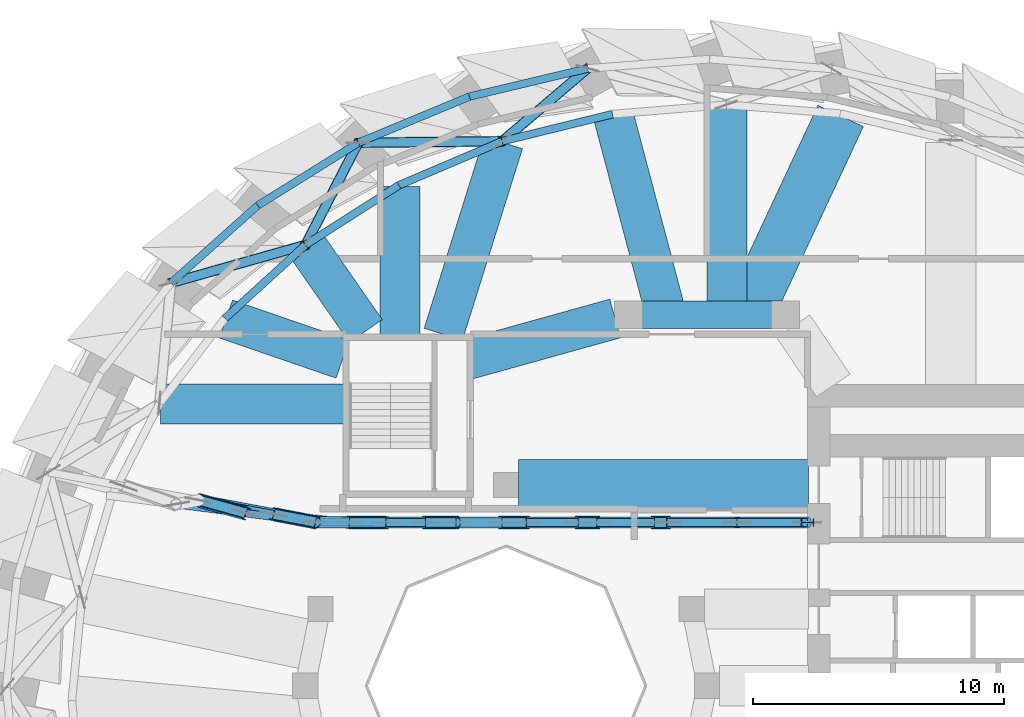
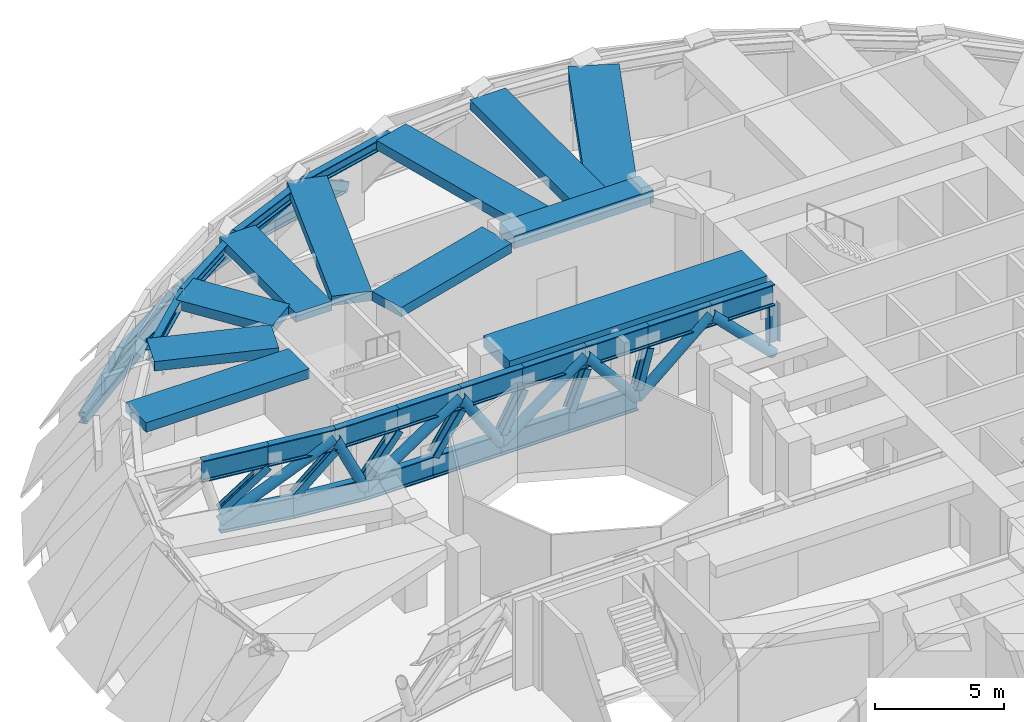
# One storey, part 5 of 15: 43 members, 11 beams.
"""IFC4 building model written with IfcOpenShell, lengths in metres."""

from ifc_helpers import new_model, si_unit, direction, frame, origin, origin_2d, place, context, subcontext, project, spatial, rectangle, hollow_rectangle, hollow_circle, i_section, extrude, material, material_profile, profile_set, type_object, element, save


model = new_model("IFC4")

# Units and contexts
model_context = context("Model", 3, precision=1e-05, world=origin(), true_north=direction((0.0, 1.0)))
body_context = subcontext(model_context, "Body", "Model", "MODEL_VIEW")
ifc_project = project(units=[si_unit("LENGTHUNIT", "METRE"), si_unit("AREAUNIT", "SQUARE_METRE"), si_unit("VOLUMEUNIT", "CUBIC_METRE"), si_unit("PLANEANGLEUNIT", "RADIAN"), si_unit("MASSUNIT", "GRAM", prefix="KILO")], contexts=[model_context])

# Site, building, storey
site_placement = place(None, origin())
site = spatial("IfcSite", under=ifc_project, at=site_placement, CompositionType="ELEMENT")
building_placement = place(site_placement, origin())
building = spatial("IfcBuilding", under=site, at=building_placement, Name="Taillehof Tower", CompositionType="ELEMENT")
storey_placement = place(building_placement, frame((0.0, 0.0, 84.39990234375)))
storey = spatial("IfcBuildingStorey", under=building, at=storey_placement, Name="L23", CompositionType="ELEMENT", Elevation=84.39990234375)

# Members
ifc_material_1 = material(Name="Steel S460M", Category="steel")
ifc_material_profile_1 = material_profile(ifc_material_1, i_section(OverallWidth=0.305908203125, OverallDepth=0.52392578125, WebThickness=0.02099609375, FlangeThickness=0.0400390625, FilletRadius=0.027099609375, at=origin_2d()), Name="HEM 500")
ifc_profile_set_1 = profile_set([ifc_material_profile_1], Name="Steel S460M")
member_type_1 = type_object("IfcMemberType", Name="Belt truss chord HEM 500", PredefinedType="CHORD", material=ifc_profile_set_1)
member_1_placement = place(storey_placement, frame((-4.75048828125, 24.581298828125, 0.900146484375), z_axis=(-0.972830536765, -0.231518350758, 0.0), x_axis=(0.231518350758, -0.972830536765, 0.0)))
element("IfcMember", 1, at=member_1_placement, inside=storey, type_object=member_type_1, Name="Belt truss bottom chord BB11", PredefinedType="CHORD", context=body_context, shape_type="SweptSolid", body=[
    extrude(i_section(OverallWidth=0.305908203125, OverallDepth=0.52392578125, WebThickness=0.02099609375, FlangeThickness=0.0400390625, FilletRadius=0.027099609375, at=origin_2d()), origin(), (0.0, 0.0, 1.0), 4.845458984375),
])
member_2_placement = place(storey_placement, frame((-3.762939453125, 22.762939453125, 3.9580078125), z_axis=(-0.971090983456, -0.238709660153, 0.0), x_axis=(0.238709660153, -0.971090983456, 0.0)))
element("IfcMember", 2, at=member_2_placement, inside=storey, type_object=member_type_1, Name="Belt truss top chord BT11", PredefinedType="CHORD", context=body_context, shape_type="SweptSolid", body=[
    extrude(i_section(OverallWidth=0.305908203125, OverallDepth=0.52392578125, WebThickness=0.02099609375, FlangeThickness=0.0400390625, FilletRadius=0.027099609375, at=origin_2d()), origin(), (0.0, 0.0, 1.0), 4.521484375),
])
member_3_placement = place(storey_placement, frame((-9.46435546875, 23.45947265625, 0.900146484375), z_axis=(-0.923508933079, -0.383576916045, 0.0), x_axis=(0.383576916045, -0.923508933079, 0.0)))
element("IfcMember", 3, at=member_3_placement, inside=storey, type_object=member_type_1, Name="Belt truss bottom chord BB12", PredefinedType="CHORD", context=body_context, shape_type="SweptSolid", body=[
    extrude(i_section(OverallWidth=0.305908203125, OverallDepth=0.52392578125, WebThickness=0.02099609375, FlangeThickness=0.0400390625, FilletRadius=0.027099609375, at=origin_2d()), origin(), (0.0, 0.0, 1.0), 4.7919921875),
])
member_4_placement = place(storey_placement, frame((-8.15380859375, 21.68359375, 3.9580078125), z_axis=(-0.919924877617, -0.392094656354, 0.0), x_axis=(0.392094656354, -0.919924877617, 0.0)))
element("IfcMember", 4, at=member_4_placement, inside=storey, type_object=member_type_1, Name="Belt truss top chord BT12", PredefinedType="CHORD", context=body_context, shape_type="SweptSolid", body=[
    extrude(i_section(OverallWidth=0.305908203125, OverallDepth=0.52392578125, WebThickness=0.02099609375, FlangeThickness=0.0400390625, FilletRadius=0.027099609375, at=origin_2d()), origin(), (0.0, 0.0, 1.0), 4.47509765625),
])
member_5_placement = place(storey_placement, frame((-13.889892578125, 21.621337890625, 0.900146484375), z_axis=(-0.848193026598, -0.529687256437, 0.0), x_axis=(0.529687256437, -0.848193026598, 0.0)))
element("IfcMember", 5, at=member_5_placement, inside=storey, type_object=member_type_1, Name="Belt truss bottom chord BB13", PredefinedType="CHORD", context=body_context, shape_type="SweptSolid", body=[
    extrude(i_section(OverallWidth=0.305908203125, OverallDepth=0.52392578125, WebThickness=0.02099609375, FlangeThickness=0.0400390625, FilletRadius=0.027099609375, at=origin_2d()), origin(), (0.0, 0.0, 1.0), 4.718017578125),
])
member_6_placement = place(storey_placement, frame((-12.2705078125, 19.928955078125, 3.9580078125), z_axis=(-0.842719269932, -0.538353259565, 0.0), x_axis=(0.538353259565, -0.842719269932, 0.0)))
element("IfcMember", 6, at=member_6_placement, inside=storey, type_object=member_type_1, Name="Belt truss top chord BT13", PredefinedType="CHORD", context=body_context, shape_type="SweptSolid", body=[
    extrude(i_section(OverallWidth=0.305908203125, OverallDepth=0.52392578125, WebThickness=0.02099609375, FlangeThickness=0.0400390625, FilletRadius=0.027099609375, at=origin_2d()), origin(), (0.0, 0.0, 1.0), 4.41259765625),
])
member_7_placement = place(storey_placement, frame((-17.8916015625, 19.122314453125, 0.900146484375), z_axis=(-0.746055489615, -0.665883778459, 0.0), x_axis=(0.665883778459, -0.746055489615, 0.0)))
element("IfcMember", 7, at=member_7_placement, inside=storey, type_object=member_type_1, Name="Belt truss bottom chord BB14", PredefinedType="CHORD", context=body_context, shape_type="SweptSolid", body=[
    extrude(i_section(OverallWidth=0.305908203125, OverallDepth=0.52392578125, WebThickness=0.02099609375, FlangeThickness=0.0400390625, FilletRadius=0.027099609375, at=origin_2d()), origin(), (0.0, 0.0, 1.0), 4.6318359375),
])
member_8_placement = place(storey_placement, frame((-15.989013671875, 17.553466796875, 3.9580078125), z_axis=(-0.739081838486, -0.673615644133, 0.0), x_axis=(0.673615644133, -0.739081838486, 0.0)))
element("IfcMember", 8, at=member_8_placement, inside=storey, type_object=member_type_1, Name="Belt truss top chord BT14", PredefinedType="CHORD", context=body_context, shape_type="SweptSolid", body=[
    extrude(i_section(OverallWidth=0.305908203125, OverallDepth=0.52392578125, WebThickness=0.02099609375, FlangeThickness=0.0400390625, FilletRadius=0.027099609375, at=origin_2d()), origin(), (0.0, 0.0, 1.0), 4.3408203125),
])
ifc_material_2 = material(Name="Steel S460M", Category="steel")
ifc_material_profile_2 = material_profile(ifc_material_2, hollow_rectangle(XDim=0.39990234375, YDim=0.39990234375, WallThickness=0.02001953125, InnerFilletRadius=0.02001953125, OuterFilletRadius=0.030029296875, at=origin_2d()), Name="RHS 400x400x20")
ifc_profile_set_2 = profile_set([ifc_material_profile_2], Name="Steel S460M")
member_type_2 = type_object("IfcMemberType", Name="Belt truss diagonal RHS 400x400x20", PredefinedType="BRACE", material=ifc_profile_set_2)
member_9_placement = place(storey_placement, frame((-4.75048828125, 24.581298828125, 0.900146484375), z_axis=(-0.628417508781, -0.535056485776, 0.564629074425), x_axis=(0.648282387898, -0.761399990505, 0.0)))
element("IfcMember", 9, at=member_9_placement, inside=storey, type_object=member_type_2, Name="Belt truss diagonal BX11", PredefinedType="BRACE", context=body_context, shape_type="SweptSolid", body=[
    extrude(hollow_rectangle(XDim=0.39990234375, YDim=0.39990234375, WallThickness=0.02001953125, InnerFilletRadius=0.02001953125, OuterFilletRadius=0.030029296875, at=origin_2d()), origin(), (0.0, 0.0, 1.0), 5.415771484375),
])
member_10_placement = place(storey_placement, frame((-8.15380859375, 21.68359375, 3.9580078125), z_axis=(-0.882400829566, -0.00957702539, -0.470400952982), x_axis=(0.010852733874, -0.99994110735, 0.0)))
element("IfcMember", 10, at=member_10_placement, inside=storey, type_object=member_type_2, Name="Belt truss diagonal BX12", PredefinedType="BRACE", context=body_context, shape_type="SweptSolid", body=[
    extrude(hollow_rectangle(XDim=0.39990234375, YDim=0.39990234375, WallThickness=0.02001953125, InnerFilletRadius=0.02001953125, OuterFilletRadius=0.030029296875, at=origin_2d()), origin(), (0.0, 0.0, 1.0), 6.50048828125),
])
member_11_placement = place(storey_placement, frame((-13.889892578125, 21.621337890625, 0.900146484375), z_axis=(-0.381315662562, -0.738948775251, 0.555475537752), x_axis=(0.888658518415, -0.458569555955, 0.0)))
element("IfcMember", 11, at=member_11_placement, inside=storey, type_object=member_type_2, Name="Belt truss diagonal BX13", PredefinedType="BRACE", context=body_context, shape_type="SweptSolid", body=[
    extrude(hollow_rectangle(XDim=0.39990234375, YDim=0.39990234375, WallThickness=0.02001953125, InnerFilletRadius=0.02001953125, OuterFilletRadius=0.030029296875, at=origin_2d()), origin(), (0.0, 0.0, 1.0), 5.5048828125),
])
member_12_placement = place(storey_placement, frame((-15.989013671875, 17.553466796875, 3.9580078125), z_axis=(-0.843446081873, -0.23854147857, -0.481348802818), x_axis=(0.272143238813, -0.962256752415, 0.0)))
element("IfcMember", 12, at=member_12_placement, inside=storey, type_object=member_type_2, Name="Belt truss diagonal BX14", PredefinedType="BRACE", context=body_context, shape_type="SweptSolid", body=[
    extrude(hollow_rectangle(XDim=0.39990234375, YDim=0.39990234375, WallThickness=0.02001953125, InnerFilletRadius=0.02001953125, OuterFilletRadius=0.030029296875, at=origin_2d()), origin(), (0.0, 0.0, 1.0), 6.352783203125),
])

# Beam
ifc_material_3 = material(Name="Concrete C50/60", Category="concrete")
ifc_material_profile_3 = material_profile(ifc_material_3, rectangle(XDim=1.10009765625, YDim=0.60009765625, at=origin_2d()), Name="RC 1100x600")
ifc_profile_set_3 = profile_set([ifc_material_profile_3], Name="Concrete C50/60")
beam_type_1 = type_object("IfcBeamType", Name="Mid-ring beam C50/60 1100x600", PredefinedType="BEAM", material=ifc_profile_set_3)
beam_1_placement = place(storey_placement, frame((3.125732421875, 14.772216796875, 3.920166015625), z_axis=(-1.0, 0.0, 0.0), x_axis=(0.0, -1.0, 0.0)))
element("IfcBeam", 13, at=beam_1_placement, inside=storey, type_object=beam_type_1, Name="Mid-ring beam MB01", PredefinedType="BEAM", context=body_context, shape_type="SweptSolid", body=[
    extrude(rectangle(XDim=1.10009765625, YDim=0.60009765625, at=origin_2d()), origin(), (0.0, 0.0, 1.0), 6.25146484375),
])

# Members
ifc_material_4 = material(Name="Steel S460M", Category="steel")
ifc_material_profile_4 = material_profile(ifc_material_4, i_section(OverallWidth=0.302001953125, OverallDepth=1.008056640625, WebThickness=0.02099609375, FlangeThickness=0.0400390625, FilletRadius=0.030029296875, at=origin_2d()), Name="HEM 1000")
ifc_profile_set_4 = profile_set([ifc_material_profile_4], Name="Steel S460M")
member_type_3 = type_object("IfcMemberType", Name="Outrigger chord HEM 1000", PredefinedType="CHORD", material=ifc_profile_set_4)
member_13_placement = place(storey_placement, frame((4.0, 6.5, 3.716064453125), z_axis=(-1.0, 0.0, 0.0), x_axis=(0.0, -1.0, 0.0)))
element("IfcMember", 14, at=member_13_placement, inside=storey, type_object=member_type_3, Name="Outrigger OT5 top chord 01", PredefinedType="CHORD", context=body_context, shape_type="SweptSolid", body=[
    extrude(i_section(OverallWidth=0.302001953125, OverallDepth=1.008056640625, WebThickness=0.02099609375, FlangeThickness=0.0400390625, FilletRadius=0.030029296875, at=origin_2d()), origin(), (0.0, 0.0, 1.0), 2.79833984375),
])
member_14_placement = place(storey_placement, frame((1.20166015625, 6.5, 3.716064453125), z_axis=(-1.0, 0.0, 0.0), x_axis=(0.0, -1.0, 0.0)))
element("IfcMember", 15, at=member_14_placement, inside=storey, type_object=member_type_3, Name="Outrigger OT5 top chord 02", PredefinedType="CHORD", context=body_context, shape_type="SweptSolid", body=[
    extrude(i_section(OverallWidth=0.302001953125, OverallDepth=1.008056640625, WebThickness=0.02099609375, FlangeThickness=0.0400390625, FilletRadius=0.030029296875, at=origin_2d()), origin(), (0.0, 0.0, 1.0), 2.798583984375),
])
member_15_placement = place(storey_placement, frame((-2.080322265625, 6.5, 0.900146484375), z_axis=(-1.0, 0.0, 0.0), x_axis=(0.0, -1.0, 0.0)))
element("IfcMember", 16, at=member_15_placement, inside=storey, type_object=member_type_3, Name="Outrigger OT5 bottom chord 03", PredefinedType="CHORD", context=body_context, shape_type="SweptSolid", body=[
    extrude(i_section(OverallWidth=0.302001953125, OverallDepth=1.008056640625, WebThickness=0.02099609375, FlangeThickness=0.0400390625, FilletRadius=0.030029296875, at=origin_2d()), origin(), (0.0, 0.0, 1.0), 3.0400390625),
])
member_16_placement = place(storey_placement, frame((-1.596923828125, 6.5, 3.716064453125), z_axis=(-1.0, 0.0, 0.0), x_axis=(0.0, -1.0, 0.0)))
element("IfcMember", 17, at=member_16_placement, inside=storey, type_object=member_type_3, Name="Outrigger OT5 top chord 03", PredefinedType="CHORD", context=body_context, shape_type="SweptSolid", body=[
    extrude(i_section(OverallWidth=0.302001953125, OverallDepth=1.008056640625, WebThickness=0.02099609375, FlangeThickness=0.0400390625, FilletRadius=0.030029296875, at=origin_2d()), origin(), (0.0, 0.0, 1.0), 2.79833984375),
])
member_17_placement = place(storey_placement, frame((-5.120361328125, 6.5, 0.900146484375), z_axis=(-1.0, 0.0, 0.0), x_axis=(0.0, -1.0, 0.0)))
element("IfcMember", 18, at=member_17_placement, inside=storey, type_object=member_type_3, Name="Outrigger OT5 bottom chord 04", PredefinedType="CHORD", context=body_context, shape_type="SweptSolid", body=[
    extrude(i_section(OverallWidth=0.302001953125, OverallDepth=1.008056640625, WebThickness=0.02099609375, FlangeThickness=0.0400390625, FilletRadius=0.030029296875, at=origin_2d()), origin(), (0.0, 0.0, 1.0), 3.040283203125),
])
member_18_placement = place(storey_placement, frame((-4.395263671875, 6.5, 3.716064453125), z_axis=(-1.0, 0.0, 0.0), x_axis=(0.0, -1.0, 0.0)))
element("IfcMember", 19, at=member_18_placement, inside=storey, type_object=member_type_3, Name="Outrigger OT5 top chord 04", PredefinedType="CHORD", context=body_context, shape_type="SweptSolid", body=[
    extrude(i_section(OverallWidth=0.302001953125, OverallDepth=1.008056640625, WebThickness=0.02099609375, FlangeThickness=0.0400390625, FilletRadius=0.030029296875, at=origin_2d()), origin(), (0.0, 0.0, 1.0), 2.79833984375),
])
member_19_placement = place(storey_placement, frame((-8.16064453125, 6.5, 0.900146484375), z_axis=(-1.0, 0.0, 0.0), x_axis=(0.0, -1.0, 0.0)))
element("IfcMember", 20, at=member_19_placement, inside=storey, type_object=member_type_3, Name="Outrigger OT5 bottom chord 05", PredefinedType="CHORD", context=body_context, shape_type="SweptSolid", body=[
    extrude(i_section(OverallWidth=0.302001953125, OverallDepth=1.008056640625, WebThickness=0.02099609375, FlangeThickness=0.0400390625, FilletRadius=0.030029296875, at=origin_2d()), origin(), (0.0, 0.0, 1.0), 3.0400390625),
])
member_20_placement = place(storey_placement, frame((-7.193603515625, 6.5, 3.716064453125), z_axis=(-1.0, 0.0, 0.0), x_axis=(0.0, -1.0, 0.0)))
element("IfcMember", 21, at=member_20_placement, inside=storey, type_object=member_type_3, Name="Outrigger OT5 top chord 05", PredefinedType="CHORD", context=body_context, shape_type="SweptSolid", body=[
    extrude(i_section(OverallWidth=0.302001953125, OverallDepth=1.008056640625, WebThickness=0.02099609375, FlangeThickness=0.0400390625, FilletRadius=0.030029296875, at=origin_2d()), origin(), (0.0, 0.0, 1.0), 2.798583984375),
])
member_21_placement = place(storey_placement, frame((-11.20068359375, 6.5, 0.900146484375), z_axis=(-1.0, 0.0, 0.0), x_axis=(0.0, -1.0, 0.0)))
element("IfcMember", 22, at=member_21_placement, inside=storey, type_object=member_type_3, Name="Outrigger OT5 bottom chord 06", PredefinedType="CHORD", context=body_context, shape_type="SweptSolid", body=[
    extrude(i_section(OverallWidth=0.302001953125, OverallDepth=1.008056640625, WebThickness=0.02099609375, FlangeThickness=0.0400390625, FilletRadius=0.030029296875, at=origin_2d()), origin(), (0.0, 0.0, 1.0), 3.040283203125),
])
member_22_placement = place(storey_placement, frame((-9.9921875, 6.5, 3.716064453125), z_axis=(-1.0, 0.0, 0.0), x_axis=(0.0, -1.0, 0.0)))
element("IfcMember", 23, at=member_22_placement, inside=storey, type_object=member_type_3, Name="Outrigger OT5 top chord 06", PredefinedType="CHORD", context=body_context, shape_type="SweptSolid", body=[
    extrude(i_section(OverallWidth=0.302001953125, OverallDepth=1.008056640625, WebThickness=0.02099609375, FlangeThickness=0.0400390625, FilletRadius=0.030029296875, at=origin_2d()), origin(), (0.0, 0.0, 1.0), 2.79833984375),
])
member_23_placement = place(storey_placement, frame((-14.240966796875, 6.5, 0.900146484375), z_axis=(-0.994135796956, 0.108138879276, 0.0), x_axis=(-0.108138879276, -0.994135796956, 0.0)))
element("IfcMember", 24, at=member_23_placement, inside=storey, type_object=member_type_3, Name="Outrigger OT5 bottom chord 07", PredefinedType="CHORD", context=body_context, shape_type="SweptSolid", body=[
    extrude(i_section(OverallWidth=0.302001953125, OverallDepth=1.008056640625, WebThickness=0.02099609375, FlangeThickness=0.0400390625, FilletRadius=0.030029296875, at=origin_2d()), origin(), (0.0, 0.0, 1.0), 3.027587890625),
])
member_24_placement = place(storey_placement, frame((-12.79052734375, 6.5, 3.716064453125), z_axis=(-0.999991942747, 0.00401427955, 0.0), x_axis=(-0.00401427955, -0.999991942747, 0.0)))
element("IfcMember", 25, at=member_24_placement, inside=storey, type_object=member_type_3, Name="Outrigger OT5 top chord 07", PredefinedType="CHORD", context=body_context, shape_type="SweptSolid", body=[
    extrude(i_section(OverallWidth=0.302001953125, OverallDepth=1.008056640625, WebThickness=0.02099609375, FlangeThickness=0.0400390625, FilletRadius=0.030029296875, at=origin_2d()), origin(), (0.0, 0.0, 1.0), 2.797607421875),
])
member_25_placement = place(storey_placement, frame((-17.250732421875, 6.827392578125, 0.900146484375), z_axis=(-0.982959353902, 0.183823036036, 0.0), x_axis=(-0.183823036036, -0.982959353902, 0.0)))
element("IfcMember", 26, at=member_25_placement, inside=storey, type_object=member_type_3, Name="Outrigger OT5 bottom chord 08", PredefinedType="CHORD", context=body_context, shape_type="SweptSolid", body=[
    extrude(i_section(OverallWidth=0.302001953125, OverallDepth=1.008056640625, WebThickness=0.02099609375, FlangeThickness=0.0400390625, FilletRadius=0.030029296875, at=origin_2d()), origin(), (0.0, 0.0, 1.0), 3.0400390625),
])
member_26_placement = place(storey_placement, frame((-15.588134765625, 6.51123046875, 3.716064453125), z_axis=(-0.99181069335, 0.127716672976, 0.0), x_axis=(-0.127716672976, -0.99181069335, 0.0)))
element("IfcMember", 27, at=member_26_placement, inside=storey, type_object=member_type_3, Name="Outrigger OT5 top chord 08", PredefinedType="CHORD", context=body_context, shape_type="SweptSolid", body=[
    extrude(i_section(OverallWidth=0.302001953125, OverallDepth=1.008056640625, WebThickness=0.02099609375, FlangeThickness=0.0400390625, FilletRadius=0.030029296875, at=origin_2d()), origin(), (0.0, 0.0, 1.0), 2.798583984375),
])
member_27_placement = place(storey_placement, frame((-18.36376953125, 6.86865234375, 3.716064453125), z_axis=(-0.991820319007, 0.12764190066, 0.0), x_axis=(-0.12764190066, -0.991820319007, 0.0)))
element("IfcMember", 28, at=member_27_placement, inside=storey, type_object=member_type_3, Name="Outrigger OT5 top chord 09", PredefinedType="CHORD", context=body_context, shape_type="SweptSolid", body=[
    extrude(i_section(OverallWidth=0.302001953125, OverallDepth=1.008056640625, WebThickness=0.02099609375, FlangeThickness=0.0400390625, FilletRadius=0.030029296875, at=origin_2d()), origin(), (0.0, 0.0, 1.0), 2.79833984375),
])
ifc_material_5 = material(Name="Steel S460M", Category="steel")
ifc_material_profile_5 = material_profile(ifc_material_5, hollow_circle(Radius=0.228515625, WallThickness=0.02490234375, at=origin_2d()), Name="CHS 457x25")
ifc_profile_set_5 = profile_set([ifc_material_profile_5], Name="Steel S460M")
member_type_4 = type_object("IfcMemberType", Name="Outrigger diagonal CHS 457x25", PredefinedType="BRACE", material=ifc_profile_set_5)
member_28_placement = place(storey_placement, frame((4.0, 6.5, 0.900146484375), z_axis=(-0.704889389473, 0.0, 0.709317241161), x_axis=(0.0, -1.0, 0.0)))
element("IfcMember", 29, at=member_28_placement, inside=storey, type_object=member_type_4, Name="Outrigger OT5 diagonal 01", PredefinedType="BRACE", context=body_context, shape_type="SweptSolid", body=[
    extrude(hollow_circle(Radius=0.228515625, WallThickness=0.02490234375, at=origin_2d()), origin(), (0.0, 0.0, 1.0), 3.969970703125),
])
member_29_placement = place(storey_placement, frame((1.20166015625, 6.5, 3.716064453125), z_axis=(-0.758937701037, 0.0, -0.651163240628), x_axis=(0.0, -1.0, 0.0)))
element("IfcMember", 30, at=member_29_placement, inside=storey, type_object=member_type_4, Name="Outrigger OT5 diagonal 02", PredefinedType="BRACE", context=body_context, shape_type="SweptSolid", body=[
    extrude(hollow_circle(Radius=0.228515625, WallThickness=0.02490234375, at=origin_2d()), origin(), (0.0, 0.0, 1.0), 4.324462890625),
])
member_30_placement = place(storey_placement, frame((-2.080322265625, 6.5, 0.900146484375), z_axis=(-0.635045014727, 0.0, 0.772475131814), x_axis=(0.0, -1.0, 0.0)))
element("IfcMember", 31, at=member_30_placement, inside=storey, type_object=member_type_4, Name="Outrigger OT5 diagonal 03", PredefinedType="BRACE", context=body_context, shape_type="SweptSolid", body=[
    extrude(hollow_circle(Radius=0.228515625, WallThickness=0.02490234375, at=origin_2d()), origin(), (0.0, 0.0, 1.0), 3.645263671875),
])
member_31_placement = place(storey_placement, frame((-4.395263671875, 6.5, 3.716064453125), z_axis=(-0.800827948209, 0.0, -0.598894479326), x_axis=(0.0, -1.0, 0.0)))
element("IfcMember", 32, at=member_31_placement, inside=storey, type_object=member_type_4, Name="Outrigger OT5 diagonal 04", PredefinedType="BRACE", context=body_context, shape_type="SweptSolid", body=[
    extrude(hollow_circle(Radius=0.228515625, WallThickness=0.02490234375, at=origin_2d()), origin(), (0.0, 0.0, 1.0), 4.701904296875),
])
member_32_placement = place(storey_placement, frame((-8.16064453125, 6.5, 0.900146484375), z_axis=(-0.545238679648, 0.0, 0.838280849248), x_axis=(0.0, -1.0, 0.0)))
element("IfcMember", 33, at=member_32_placement, inside=storey, type_object=member_type_4, Name="Outrigger OT5 diagonal 05", PredefinedType="BRACE", context=body_context, shape_type="SweptSolid", body=[
    extrude(hollow_circle(Radius=0.228515625, WallThickness=0.02490234375, at=origin_2d()), origin(), (0.0, 0.0, 1.0), 3.359130859375),
])
member_33_placement = place(storey_placement, frame((-9.9921875, 6.5, 3.716064453125), z_axis=(-0.833550466119, 0.0, -0.552443318751), x_axis=(0.0, -1.0, 0.0)))
element("IfcMember", 34, at=member_33_placement, inside=storey, type_object=member_type_4, Name="Outrigger OT5 diagonal 06", PredefinedType="BRACE", context=body_context, shape_type="SweptSolid", body=[
    extrude(hollow_circle(Radius=0.228515625, WallThickness=0.02490234375, at=origin_2d()), origin(), (0.0, 0.0, 1.0), 5.09716796875),
])
member_34_placement = place(storey_placement, frame((-14.240966796875, 6.5, 0.900146484375), z_axis=(-0.43156339923, 0.003597665162, 0.902075434346), x_axis=(-0.0083360641, -0.999965254414, 0.0)))
element("IfcMember", 35, at=member_34_placement, inside=storey, type_object=member_type_4, Name="Outrigger OT5 diagonal 07", PredefinedType="BRACE", context=body_context, shape_type="SweptSolid", body=[
    extrude(hollow_circle(Radius=0.228515625, WallThickness=0.02490234375, at=origin_2d()), origin(), (0.0, 0.0, 1.0), 3.12158203125),
])
member_35_placement = place(storey_placement, frame((-15.588134765625, 6.51123046875, 3.716064453125), z_axis=(-0.844558351101, 0.158892237814, -0.511345722919), x_axis=(-0.184892765662, -0.982758701414, 0.0)))
element("IfcMember", 36, at=member_35_placement, inside=storey, type_object=member_type_4, Name="Outrigger OT5 diagonal 08", PredefinedType="BRACE", context=body_context, shape_type="SweptSolid", body=[
    extrude(hollow_circle(Radius=0.228515625, WallThickness=0.02490234375, at=origin_2d()), origin(), (0.0, 0.0, 1.0), 5.5068359375),
])
ifc_material_6 = material(Name="Steel S460M", Category="steel")
ifc_material_profile_6 = material_profile(ifc_material_6, i_section(OverallWidth=0.300048828125, OverallDepth=0.5, WebThickness=0.014404296875, FlangeThickness=0.028076171875, FilletRadius=0.027099609375, at=origin_2d()), Name="HEB 500")
ifc_profile_set_6 = profile_set([ifc_material_profile_6], Name="Steel S460M")
member_type_5 = type_object("IfcMemberType", Name="Outrigger post HEB 500", PredefinedType="POST", material=ifc_profile_set_6)
member_36_placement = place(storey_placement, frame((4.0, 6.5, 1.404052734375), z_axis=(0.0, 0.0, 1.0), x_axis=(0.0, 1.0, 0.0)))
element("IfcMember", 37, at=member_36_placement, inside=storey, type_object=member_type_5, Name="Outrigger OT5 post 01", PredefinedType="POST", context=body_context, shape_type="SweptSolid", body=[
    extrude(i_section(OverallWidth=0.300048828125, OverallDepth=0.5, WebThickness=0.014404296875, FlangeThickness=0.028076171875, FilletRadius=0.027099609375, at=origin_2d()), origin(), (0.0, 0.0, 1.0), 1.80810546875),
])
member_37_placement = place(storey_placement, frame((-2.080322265625, 6.5, 1.404052734375), z_axis=(0.258279637265, 0.0, 0.966070198782), x_axis=(-0.966070198782, 0.0, 0.258279637265)))
element("IfcMember", 38, at=member_37_placement, inside=storey, type_object=member_type_5, Name="Outrigger OT5 post 03", PredefinedType="POST", context=body_context, shape_type="SweptSolid", body=[
    extrude(i_section(OverallWidth=0.300048828125, OverallDepth=0.5, WebThickness=0.014404296875, FlangeThickness=0.028076171875, FilletRadius=0.027099609375, at=origin_2d()), origin(), (0.0, 0.0, 1.0), 1.87158203125),
])
member_38_placement = place(storey_placement, frame((-5.120361328125, 6.5, 1.404052734375), z_axis=(0.372211617946, 0.0, 0.9281478931), x_axis=(-0.9281478931, 0.0, 0.372211617946)))
element("IfcMember", 39, at=member_38_placement, inside=storey, type_object=member_type_5, Name="Outrigger OT5 post 04", PredefinedType="POST", context=body_context, shape_type="SweptSolid", body=[
    extrude(i_section(OverallWidth=0.300048828125, OverallDepth=0.5, WebThickness=0.014404296875, FlangeThickness=0.028076171875, FilletRadius=0.027099609375, at=origin_2d()), origin(), (0.0, 0.0, 1.0), 1.947998046875),
])
member_39_placement = place(storey_placement, frame((-8.16064453125, 6.5, 1.404052734375), z_axis=(0.471619955028, 0.0, 0.881801915409), x_axis=(-0.881801915409, 0.0, 0.471619955028)))
element("IfcMember", 40, at=member_39_placement, inside=storey, type_object=member_type_5, Name="Outrigger OT5 post 05", PredefinedType="POST", context=body_context, shape_type="SweptSolid", body=[
    extrude(i_section(OverallWidth=0.300048828125, OverallDepth=0.5, WebThickness=0.014404296875, FlangeThickness=0.028076171875, FilletRadius=0.027099609375, at=origin_2d()), origin(), (0.0, 0.0, 1.0), 2.050537109375),
])
member_40_placement = place(storey_placement, frame((-11.20068359375, 6.5, 1.404052734375), z_axis=(0.555684236938, 0.0, 0.831393426013), x_axis=(-0.831393426013, 0.0, 0.555684236938)))
element("IfcMember", 41, at=member_40_placement, inside=storey, type_object=member_type_5, Name="Outrigger OT5 post 06", PredefinedType="POST", context=body_context, shape_type="SweptSolid", body=[
    extrude(i_section(OverallWidth=0.300048828125, OverallDepth=0.5, WebThickness=0.014404296875, FlangeThickness=0.028076171875, FilletRadius=0.027099609375, at=origin_2d()), origin(), (0.0, 0.0, 1.0), 2.1748046875),
])
member_41_placement = place(storey_placement, frame((-14.240966796875, 6.5, 1.404052734375), z_axis=(0.625734897019, 0.0, 0.780035793187), x_axis=(-0.778896314815, 0.054032133056, 0.624820821809)))
element("IfcMember", 42, at=member_41_placement, inside=storey, type_object=member_type_5, Name="Outrigger OT5 post 07", PredefinedType="POST", context=body_context, shape_type="SweptSolid", body=[
    extrude(i_section(OverallWidth=0.300048828125, OverallDepth=0.5, WebThickness=0.014404296875, FlangeThickness=0.028076171875, FilletRadius=0.027099609375, at=origin_2d()), origin(), (0.0, 0.0, 1.0), 2.31787109375),
])
member_42_placement = place(storey_placement, frame((-17.250732421875, 6.827392578125, 1.404052734375), z_axis=(0.671328811607, -0.127660912046, 0.730082405104), x_axis=(-0.682224409191, 0.278505384033, 0.676021158373)))
element("IfcMember", 43, at=member_42_placement, inside=storey, type_object=member_type_5, Name="Outrigger OT5 post 08", PredefinedType="POST", context=body_context, shape_type="SweptSolid", body=[
    extrude(i_section(OverallWidth=0.300048828125, OverallDepth=0.5, WebThickness=0.014404296875, FlangeThickness=0.028076171875, FilletRadius=0.027099609375, at=origin_2d()), origin(), (0.0, 0.0, 1.0), 2.4765625),
])
member_43_placement = place(storey_placement, frame((-20.239013671875, 7.38623046875, 1.404052734375), z_axis=(0.706073892033, -0.19488043889, 0.680794589819), x_axis=(-0.596172916978, 0.355225535663, 0.719994911006)))
element("IfcMember", 44, at=member_43_placement, inside=storey, type_object=member_type_5, Name="Outrigger OT5 post 09", PredefinedType="POST", context=body_context, shape_type="SweptSolid", body=[
    extrude(i_section(OverallWidth=0.300048828125, OverallDepth=0.5, WebThickness=0.014404296875, FlangeThickness=0.028076171875, FilletRadius=0.027099609375, at=origin_2d()), origin(), (0.0, 0.0, 1.0), 2.65576171875),
])

# Beams
ifc_material_7 = material(Name="Concrete C50/60", Category="concrete")
ifc_material_profile_7 = material_profile(ifc_material_7, rectangle(XDim=1.60009765625, YDim=0.449951171875, at=origin_2d()), Name="RC 1600x450")
ifc_profile_set_7 = profile_set([ifc_material_profile_7], Name="Concrete C50/60")
beam_type_2 = type_object("IfcBeamType", Name="Radial band beam C50/60 1600x450", PredefinedType="BEAM", material=ifc_profile_set_7)
beam_2_placement = place(storey_placement, frame((0.800048828125, 23.050048828125, 3.9951171875), z_axis=(0.0, -1.0, 0.0), x_axis=(1.0, 0.0, 0.0)))
element("IfcBeam", 45, at=beam_2_placement, inside=storey, type_object=beam_type_2, Name="Radial band beam RB10", PredefinedType="BEAM", context=body_context, shape_type="SweptSolid", body=[
    extrude(rectangle(XDim=1.60009765625, YDim=0.449951171875, at=origin_2d()), origin(), (0.0, 0.0, 1.0), 8.27783203125),
])
beam_3_placement = place(storey_placement, frame((-3.7236328125, 22.690673828125, 3.9951171875), z_axis=(0.256102263642, -0.966649693817, 0.0), x_axis=(0.966649693817, 0.256102263642, 0.0)))
element("IfcBeam", 46, at=beam_3_placement, inside=storey, type_object=beam_type_2, Name="Radial band beam RB11", PredefinedType="BEAM", context=body_context, shape_type="SweptSolid", body=[
    extrude(rectangle(XDim=1.60009765625, YDim=0.449951171875, at=origin_2d()), origin(), (0.0, 0.0, 1.0), 8.191650390625),
])
beam_4_placement = place(storey_placement, frame((-8.109619140625, 21.623779296875, 3.9951171875), z_axis=(-0.299184177348, -0.954195382521, 0.0), x_axis=(0.954195382521, -0.299184177348, 0.0)))
element("IfcBeam", 47, at=beam_4_placement, inside=storey, type_object=beam_type_2, Name="Radial band beam RB12", PredefinedType="BEAM", context=body_context, shape_type="SweptSolid", body=[
    extrude(rectangle(XDim=1.60009765625, YDim=0.449951171875, at=origin_2d()), origin(), (0.0, 0.0, 1.0), 7.995361328125),
])
beam_5_placement = place(storey_placement, frame((-12.22509765625, 19.881591796875, 3.9951171875), z_axis=(0.0, -1.0, 0.0), x_axis=(1.0, 0.0, 0.0)))
element("IfcBeam", 48, at=beam_5_placement, inside=storey, type_object=beam_type_2, Name="Radial band beam RB13", PredefinedType="BEAM", context=body_context, shape_type="SweptSolid", body=[
    extrude(rectangle(XDim=1.60009765625, YDim=0.449951171875, at=origin_2d()), origin(), (0.0, 0.0, 1.0), 5.931640625),
])
beam_6_placement = place(storey_placement, frame((-15.944580078125, 17.516845703125, 3.9951171875), z_axis=(0.570763290366, -0.821114648737, 0.0), x_axis=(0.821114648737, 0.570763290366, 0.0)))
element("IfcBeam", 49, at=beam_6_placement, inside=storey, type_object=beam_type_2, Name="Radial band beam RB14", PredefinedType="BEAM", context=body_context, shape_type="SweptSolid", body=[
    extrude(rectangle(XDim=1.60009765625, YDim=0.449951171875, at=origin_2d()), origin(), (0.0, 0.0, 1.0), 4.1328125),
])
beam_7_placement = place(storey_placement, frame((-19.155517578125, 14.60205078125, 3.9951171875), z_axis=(0.945572434757, -0.325411694055, 0.0), x_axis=(0.325411694055, 0.945572434757, 0.0)))
element("IfcBeam", 50, at=beam_7_placement, inside=storey, type_object=beam_type_2, Name="Radial band beam RB15", PredefinedType="BEAM", context=body_context, shape_type="SweptSolid", body=[
    extrude(rectangle(XDim=1.60009765625, YDim=0.449951171875, at=origin_2d()), origin(), (0.0, 0.0, 1.0), 4.91259765625),
])
beam_8_placement = place(storey_placement, frame((-21.760009765625, 11.22509765625, 3.9951171875), z_axis=(1.0, 0.0, 0.0), x_axis=(0.0, 1.0, 0.0)))
element("IfcBeam", 51, at=beam_8_placement, inside=storey, type_object=beam_type_2, Name="Radial band beam RB16", PredefinedType="BEAM", context=body_context, shape_type="SweptSolid", body=[
    extrude(rectangle(XDim=1.60009765625, YDim=0.449951171875, at=origin_2d()), origin(), (0.0, 0.0, 1.0), 7.31005859375),
])
beam_9_placement = place(storey_placement, frame((-3.655517578125, 14.624755859375, 3.9951171875), z_axis=(-0.963459369536, -0.267854518821, 0.0), x_axis=(0.267854518821, -0.963459369536, 0.0)))
element("IfcBeam", 52, at=beam_9_placement, inside=storey, type_object=beam_type_2, Name="Inner band beam IB206", PredefinedType="BEAM", context=body_context, shape_type="SweptSolid", body=[
    extrude(rectangle(XDim=1.60009765625, YDim=0.449951171875, at=origin_2d()), origin(), (0.0, 0.0, 1.0), 6.096923828125),
])
ifc_material_8 = material(Name="Concrete C50/60", Category="concrete")
ifc_material_profile_8 = material_profile(ifc_material_8, rectangle(XDim=2.0, YDim=0.550048828125, at=origin_2d()), Name="RC 2000x550")
ifc_profile_set_8 = profile_set([ifc_material_profile_8], Name="Concrete C50/60")
beam_type_3 = type_object("IfcBeamType", Name="Radial band beam C50/60 2000x550", PredefinedType="BEAM", material=ifc_profile_set_8)
beam_10_placement = place(storey_placement, frame((5.323486328125, 22.690673828125, 3.945068359375), z_axis=(-0.423117911154, -0.906074628969, 0.0), x_axis=(0.906074628969, -0.423117911154, 0.0)))
element("IfcBeam", 53, at=beam_10_placement, inside=storey, type_object=beam_type_3, Name="Radial band beam RB09", PredefinedType="BEAM", context=body_context, shape_type="SweptSolid", body=[
    extrude(rectangle(XDim=2.0, YDim=0.550048828125, at=origin_2d()), origin(), (0.0, 0.0, 1.0), 8.7392578125),
])
beam_11_placement = place(storey_placement, frame((-7.5, 8.0, 3.945068359375), z_axis=(1.0, 0.0, 0.0), x_axis=(0.0, 1.0, 0.0)))
element("IfcBeam", 54, at=beam_11_placement, inside=storey, type_object=beam_type_3, Name="Inner band beam IB105", PredefinedType="BEAM", context=body_context, shape_type="SweptSolid", body=[
    extrude(rectangle(XDim=2.0, YDim=0.550048828125, at=origin_2d()), origin(), (0.0, 0.0, 1.0), 11.550048828125),
])

save(model, "model.ifc")
